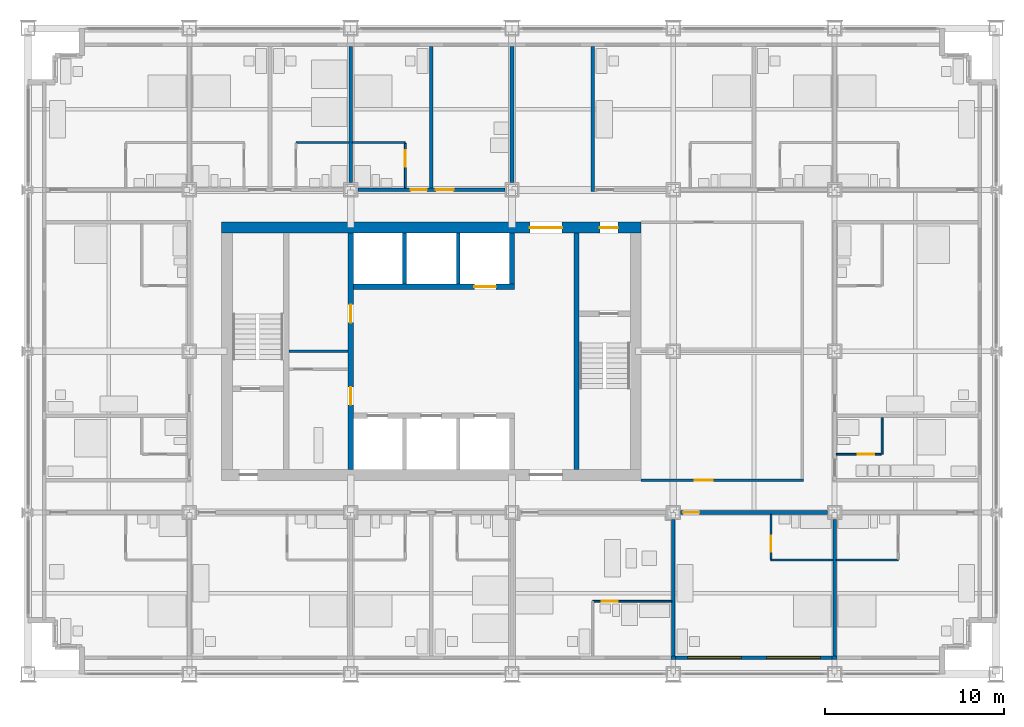
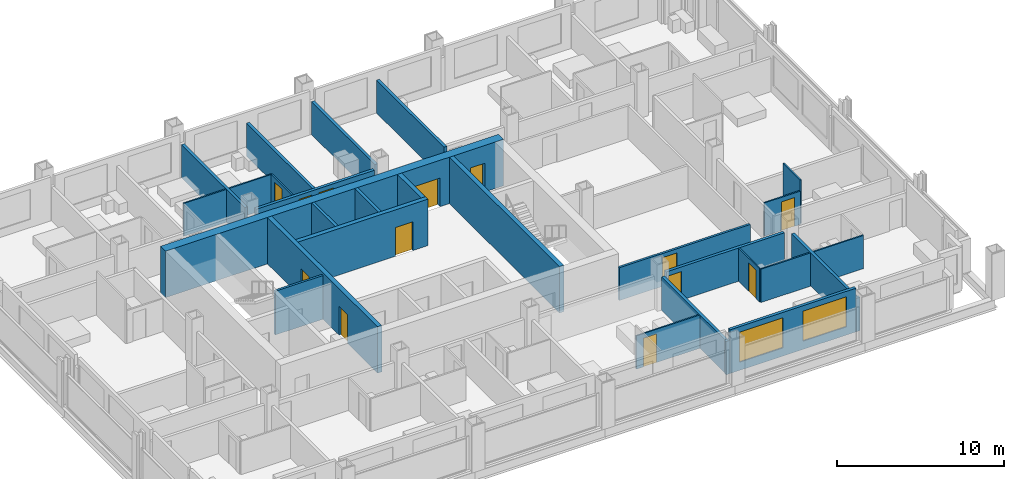
# One storey, part 12 of 18: 29 walls, 13 doors, 2 windows, 15 openings.
"""IFC4 building model written with IfcOpenShell, lengths in metres."""

from ifc_helpers import new_model, si_unit, direction, frame, frame_2d, origin, place, context, subcontext, project, spatial, rectangle, extrude, material, layer, layer_set, type_object, element, fill, save


model = new_model("IFC4")

# Units and contexts
model_context = context("Model", 3, precision=1e-05, world=origin(), true_north=direction((0.0, 1.0)))
body_context = subcontext(model_context, "Body", "Model", "MODEL_VIEW")
ifc_project = project(units=[si_unit("LENGTHUNIT", "METRE"), si_unit("AREAUNIT", "SQUARE_METRE"), si_unit("VOLUMEUNIT", "CUBIC_METRE"), si_unit("PLANEANGLEUNIT", "RADIAN"), si_unit("MASSUNIT", "GRAM", prefix="KILO")], contexts=[model_context])

# Site, building, storey
site_placement = place(None, origin())
site = spatial("IfcSite", under=ifc_project, at=site_placement, CompositionType="ELEMENT")
building_placement = place(site_placement, origin())
building = spatial("IfcBuilding", under=site, at=building_placement, Name="Loomwork Tower", CompositionType="ELEMENT")
storey_placement = place(building_placement, frame((0.0, 0.0, 62.0)))
storey = spatial("IfcBuildingStorey", under=building, at=storey_placement, Name="L15", CompositionType="ELEMENT", Elevation=62.0)

# Wall, openings, doors
ifc_material_1 = material(Name="Concrete 14000 psi (97 MPa)", Category="concrete")
ifc_layer_1 = layer(ifc_material_1, 0.300048828125)
ifc_layer_set_1 = layer_set([ifc_layer_1], Name="Core shear wall 300")
wall_type_1 = type_object("IfcWallType", Name="Core shear wall 300", PredefinedType="SHEAR", material=ifc_layer_set_1)
wall_1_placement = place(storey_placement, frame((18.0, 11.39990234375, 0.0), z_axis=(0.0, 0.0, 1.0), x_axis=(0.0, 1.0, 0.0)))
wall_1 = element("IfcWall", 1, at=wall_1_placement, inside=storey, type_object=wall_type_1, Name="Lobby west wall L15", PredefinedType="SHEAR", context=body_context, shape_type="SweptSolid", body=[
    extrude(rectangle(XDim=13.2001953125, YDim=0.300048828125, at=frame_2d((6.60009765625, 0.0))), origin(), (0.0, 0.0, 1.0), 3.39990234375),
])
opening_1_placement = place(wall_1_placement, frame((3.60009765625, 0.0, 0.0)))
opening_1 = element("IfcOpeningElement", 2, at=opening_1_placement, cuts=wall_1, Name="Opening D5", PredefinedType="OPENING", context=body_context, shape_type="SweptSolid", body=[
    extrude(rectangle(XDim=1.0, YDim=2.10009765625, at=frame_2d((0.5, 1.050048828125))), frame((0.0, 0.159912109375, 0.0), z_axis=(0.0, -1.0, 0.0), x_axis=(1.0, 0.0, 0.0)), (0.0, 0.0, 1.0), 0.320068359375),
])
opening_2_placement = place(wall_1_placement, frame((8.199951171875, 0.0, 0.0)))
opening_2 = element("IfcOpeningElement", 3, at=opening_2_placement, cuts=wall_1, Name="Opening D5", PredefinedType="OPENING", context=body_context, shape_type="SweptSolid", body=[
    extrude(rectangle(XDim=1.0, YDim=2.10009765625, at=frame_2d((0.5, 1.050048828125))), frame((0.0, 0.159912109375, 0.0), z_axis=(0.0, -1.0, 0.0), x_axis=(1.0, 0.0, 0.0)), (0.0, 0.0, 1.0), 0.320068359375),
])
ifc_material_2 = material(Name="Hollow metal door and frame")
door_type_1 = type_object("IfcDoorType", Name="Service door 1000", OperationType="SINGLE_SWING_LEFT", PredefinedType="DOOR", material=ifc_material_2)
door_1_placement = place(opening_1_placement, origin())
door_1 = element("IfcDoor", 4, at=door_1_placement, inside=storey, type_object=door_type_1, Name="Back-of-house door south", OperationType="SINGLE_SWING_LEFT", OverallHeight=2.10009765625, OverallWidth=1.0, PredefinedType="DOOR", context=body_context, shape_type="SweptSolid", body=[
    extrude(rectangle(XDim=1.0, YDim=2.10009765625, at=frame_2d((0.5, 1.050048828125))), frame((0.0, 0.02490234375, 0.0), z_axis=(0.0, -1.0, 0.0), x_axis=(1.0, 0.0, 0.0)), (0.0, 0.0, 1.0), 0.050048828125),
])
fill(opening_1, door_1)
door_2_placement = place(opening_2_placement, origin())
door_2 = element("IfcDoor", 5, at=door_2_placement, inside=storey, type_object=door_type_1, Name="Back-of-house door north", OperationType="SINGLE_SWING_RIGHT", OverallHeight=2.10009765625, OverallWidth=1.0, PredefinedType="DOOR", context=body_context, shape_type="SweptSolid", body=[
    extrude(rectangle(XDim=1.0, YDim=2.10009765625, at=frame_2d((0.5, 1.050048828125))), frame((0.0, 0.02490234375, 0.0), z_axis=(0.0, -1.0, 0.0), x_axis=(1.0, 0.0, 0.0)), (0.0, 0.0, 1.0), 0.050048828125),
])
fill(opening_2, door_2)

# Wall, opening, door
wall_2_placement = place(storey_placement, frame((18.14990234375, 21.60009765625, 0.0), z_axis=(0.0, 0.0, 1.0), x_axis=(1.0, 0.0, 0.0)))
wall_2 = element("IfcWall", 6, at=wall_2_placement, inside=storey, type_object=wall_type_1, Name="Lift front wall north L15", PredefinedType="SHEAR", context=body_context, shape_type="SweptSolid", body=[
    extrude(rectangle(XDim=9.0, YDim=0.300048828125, at=frame_2d((4.5, 0.0))), origin(), (0.0, 0.0, 1.0), 3.39990234375),
])
opening_3_placement = place(wall_2_placement, frame((6.75, 0.0, 0.0)))
opening_3 = element("IfcOpeningElement", 7, at=opening_3_placement, cuts=wall_2, Name="Opening LD2", PredefinedType="OPENING", context=body_context, shape_type="SweptSolid", body=[
    extrude(rectangle(XDim=1.199951171875, YDim=2.10009765625, at=frame_2d((0.60009765625, 1.050048828125))), frame((0.0, 0.159912109375, 0.0), z_axis=(0.0, -1.0, 0.0), x_axis=(1.0, 0.0, 0.0)), (0.0, 0.0, 1.0), 0.320068359375),
])
ifc_material_3 = material(Name="Hollow metal door and frame")
door_type_2 = type_object("IfcDoorType", Name="Lift landing door 1200", OperationType="SLIDING_TO_LEFT", PredefinedType="DOOR", material=ifc_material_3)
door_3_placement = place(opening_3_placement, origin())
door_3 = element("IfcDoor", 8, at=door_3_placement, inside=storey, type_object=door_type_2, Name="Lift landing door LF2", OperationType="SLIDING_TO_LEFT", OverallHeight=2.10009765625, OverallWidth=1.199951171875, PredefinedType="DOOR", context=body_context, shape_type="SweptSolid", body=[
    extrude(rectangle(XDim=1.199951171875, YDim=2.10009765625, at=frame_2d((0.60009765625, 1.050048828125))), frame((0.0, 0.02490234375, 0.0), z_axis=(0.0, -1.0, 0.0), x_axis=(1.0, 0.0, 0.0)), (0.0, 0.0, 1.0), 0.050048828125),
])
fill(opening_3, door_3)

# Walls
wall_3_placement = place(storey_placement, frame((27.0, 21.75, 0.0), z_axis=(0.0, 0.0, 1.0), x_axis=(0.0, 1.0, 0.0)))
element("IfcWall", 9, at=wall_3_placement, inside=storey, type_object=wall_type_1, Name="Lift shaft end wall north L15", PredefinedType="SHEAR", context=body_context, shape_type="SweptSolid", body=[
    extrude(rectangle(XDim=2.85009765625, YDim=0.300048828125, at=frame_2d((1.425048828125, 0.0))), origin(), (0.0, 0.0, 1.0), 3.39990234375),
])
wall_4_placement = place(storey_placement, frame((30.60009765625, 11.39990234375, 0.0), z_axis=(0.0, 0.0, 1.0), x_axis=(0.0, 1.0, 0.0)))
element("IfcWall", 10, at=wall_4_placement, inside=storey, type_object=wall_type_1, Name="Stair B west wall L15", PredefinedType="SHEAR", context=body_context, shape_type="SweptSolid", body=[
    extrude(rectangle(XDim=13.2001953125, YDim=0.300048828125, at=frame_2d((6.60009765625, 0.0))), origin(), (0.0, 0.0, 1.0), 3.39990234375),
])

# Wall, openings, doors
ifc_material_4 = material(Name="Concrete 14000 psi (97 MPa)", Category="concrete")
ifc_layer_2 = layer(ifc_material_4, 0.60009765625)
ifc_layer_set_2 = layer_set([ifc_layer_2], Name="Core shear wall 600")
wall_type_2 = type_object("IfcWallType", Name="Core shear wall 600", PredefinedType="SHEAR", material=ifc_layer_set_2)
wall_5_placement = place(storey_placement, frame((10.800048828125, 24.89990234375, 0.0), z_axis=(0.0, 0.0, 1.0), x_axis=(1.0, 0.0, 0.0)))
wall_5 = element("IfcWall", 11, at=wall_5_placement, inside=storey, type_object=wall_type_2, Name="Core wall north L15", PredefinedType="SHEAR", context=body_context, shape_type="SweptSolid", body=[
    extrude(rectangle(XDim=23.39990234375, YDim=0.60009765625, at=frame_2d((11.699951171875, 0.0))), origin(), (0.0, 0.0, 1.0), 3.39990234375),
])
opening_4_placement = place(wall_5_placement, frame((17.199951171875, 0.0, 0.0)))
opening_4 = element("IfcOpeningElement", 12, at=opening_4_placement, cuts=wall_5, Name="Opening D6", PredefinedType="OPENING", context=body_context, shape_type="SweptSolid", body=[
    extrude(rectangle(XDim=1.800048828125, YDim=2.10009765625, at=frame_2d((0.89990234375, 1.050048828125))), frame((0.0, 0.31005859375, 0.0), z_axis=(0.0, -1.0, 0.0), x_axis=(1.0, 0.0, 0.0)), (0.0, 0.0, 1.0), 0.6201171875),
])
opening_5_placement = place(wall_5_placement, frame((21.10009765625, 0.0, 0.0)))
opening_5 = element("IfcOpeningElement", 13, at=opening_5_placement, cuts=wall_5, Name="Opening D4", PredefinedType="OPENING", context=body_context, shape_type="SweptSolid", body=[
    extrude(rectangle(XDim=1.0, YDim=2.10009765625, at=frame_2d((0.5, 1.050048828125))), frame((0.0, 0.31005859375, 0.0), z_axis=(0.0, -1.0, 0.0), x_axis=(1.0, 0.0, 0.0)), (0.0, 0.0, 1.0), 0.6201171875),
])
ifc_material_5 = material(Name="Hollow metal door and frame")
door_type_3 = type_object("IfcDoorType", Name="Lobby passage double door 1800", OperationType="DOUBLE_DOOR_SINGLE_SWING", PredefinedType="DOOR", material=ifc_material_5)
door_4_placement = place(opening_4_placement, frame((1.800048828125, 0.0, 0.0), z_axis=(0.0, 0.0, 1.0), x_axis=(-1.0, 0.0, 0.0)))
door_4 = element("IfcDoor", 14, at=door_4_placement, inside=storey, type_object=door_type_3, Name="Lobby passage door north", OperationType="DOUBLE_DOOR_SINGLE_SWING", OverallHeight=2.10009765625, OverallWidth=1.800048828125, PredefinedType="DOOR", context=body_context, shape_type="SweptSolid", body=[
    extrude(rectangle(XDim=1.800048828125, YDim=2.10009765625, at=frame_2d((0.89990234375, 1.050048828125))), frame((0.0, 0.02490234375, 0.0), z_axis=(0.0, -1.0, 0.0), x_axis=(1.0, 0.0, 0.0)), (0.0, 0.0, 1.0), 0.050048828125),
])
fill(opening_4, door_4)
ifc_material_6 = material(Name="Hollow metal door and frame")
door_type_4 = type_object("IfcDoorType", Name="Stair door 1000", OperationType="SINGLE_SWING_RIGHT", PredefinedType="DOOR", material=ifc_material_6)
door_5_placement = place(opening_5_placement, frame((1.0, 0.0, 0.0), z_axis=(0.0, 0.0, 1.0), x_axis=(-1.0, 0.0, 0.0)))
door_5 = element("IfcDoor", 15, at=door_5_placement, inside=storey, type_object=door_type_4, Name="Stair B vestibule door", OperationType="SINGLE_SWING_LEFT", OverallHeight=2.10009765625, OverallWidth=1.0, PredefinedType="DOOR", context=body_context, shape_type="SweptSolid", body=[
    extrude(rectangle(XDim=1.0, YDim=2.10009765625, at=frame_2d((0.5, 1.050048828125))), frame((0.0, 0.02490234375, 0.0), z_axis=(0.0, -1.0, 0.0), x_axis=(1.0, 0.0, 0.0)), (0.0, 0.0, 1.0), 0.050048828125),
])
fill(opening_5, door_5)

# Wall, opening, door
ifc_material_7 = material(Name="Gypsum board on steel studs, one-hour", Category="steel")
ifc_layer_3 = layer(ifc_material_7, 0.199951171875)
ifc_layer_set_3 = layer_set([ifc_layer_3], Name="Corridor wall 200")
wall_type_3 = type_object("IfcWallType", Name="Corridor wall 200", PredefinedType="PARTITIONING", material=ifc_layer_set_3)
wall_6_placement = place(storey_placement, frame((36.39990234375, 9.0, 0.0), z_axis=(0.0, 0.0, 1.0), x_axis=(1.0, 0.0, 0.0)))
wall_6 = element("IfcWall", 16, at=wall_6_placement, inside=storey, type_object=wall_type_3, Name="South corridor wall 5", PredefinedType="PARTITIONING", context=body_context, shape_type="SweptSolid", body=[
    extrude(rectangle(XDim=8.2001953125, YDim=0.199951171875, at=frame_2d((4.10009765625, 0.0))), origin(), (0.0, 0.0, 1.0), 2.43798828125),
])
opening_6_placement = place(wall_6_placement, frame((0.14990234375, 0.0, 0.0)))
opening_6 = element("IfcOpeningElement", 17, at=opening_6_placement, cuts=wall_6, Name="Opening D1", PredefinedType="OPENING", context=body_context, shape_type="SweptSolid", body=[
    extrude(rectangle(XDim=0.89990234375, YDim=2.10009765625, at=frame_2d((0.449951171875, 1.050048828125))), frame((0.0, 0.10986328125, 0.0), z_axis=(0.0, -1.0, 0.0), x_axis=(1.0, 0.0, 0.0)), (0.0, 0.0, 1.0), 0.219970703125),
])
ifc_material_8 = material(Name="Hollow metal door and frame")
door_type_5 = type_object("IfcDoorType", Name="Guest room entry door 900", OperationType="SINGLE_SWING_LEFT", PredefinedType="DOOR", material=ifc_material_8)
door_6_placement = place(opening_6_placement, frame((0.89990234375, 0.0, 0.0), z_axis=(0.0, 0.0, 1.0), x_axis=(-1.0, 0.0, 0.0)))
door_6 = element("IfcDoor", 18, at=door_6_placement, inside=storey, type_object=door_type_5, Name="Guest room entry door L15 6", OperationType="SINGLE_SWING_RIGHT", OverallHeight=2.10009765625, OverallWidth=0.89990234375, PredefinedType="DOOR", context=body_context, shape_type="SweptSolid", body=[
    extrude(rectangle(XDim=0.89990234375, YDim=2.10009765625, at=frame_2d((0.449951171875, 1.050048828125))), frame((0.0, 0.02490234375, 0.0), z_axis=(0.0, -1.0, 0.0), x_axis=(1.0, 0.0, 0.0)), (0.0, 0.0, 1.0), 0.050048828125),
])
fill(opening_6, door_6)

# Wall, openings, doors
wall_7_placement = place(storey_placement, frame((18.39990234375, 27.0, 0.0), z_axis=(0.0, 0.0, 1.0), x_axis=(1.0, 0.0, 0.0)))
wall_7 = element("IfcWall", 19, at=wall_7_placement, inside=storey, type_object=wall_type_3, Name="North corridor wall 3", PredefinedType="PARTITIONING", context=body_context, shape_type="SweptSolid", body=[
    extrude(rectangle(XDim=8.2001953125, YDim=0.199951171875, at=frame_2d((4.10009765625, 0.0))), origin(), (0.0, 0.0, 1.0), 2.405029296875),
])
opening_7_placement = place(wall_7_placement, frame((2.949951171875, 0.0, 0.0)))
opening_7 = element("IfcOpeningElement", 20, at=opening_7_placement, cuts=wall_7, Name="Opening D1", PredefinedType="OPENING", context=body_context, shape_type="SweptSolid", body=[
    extrude(rectangle(XDim=0.89990234375, YDim=2.10009765625, at=frame_2d((0.449951171875, 1.050048828125))), frame((0.0, 0.10986328125, 0.0), z_axis=(0.0, -1.0, 0.0), x_axis=(1.0, 0.0, 0.0)), (0.0, 0.0, 1.0), 0.219970703125),
])
opening_8_placement = place(wall_7_placement, frame((4.35009765625, 0.0, 0.0)))
opening_8 = element("IfcOpeningElement", 21, at=opening_8_placement, cuts=wall_7, Name="Opening D15", PredefinedType="OPENING", context=body_context, shape_type="SweptSolid", body=[
    extrude(rectangle(XDim=1.0, YDim=2.10009765625, at=frame_2d((0.5, 1.050048828125))), frame((0.0, 0.10986328125, 0.0), z_axis=(0.0, -1.0, 0.0), x_axis=(1.0, 0.0, 0.0)), (0.0, 0.0, 1.0), 0.219970703125),
])
ifc_material_9 = material(Name="Hollow metal door and frame")
door_type_6 = type_object("IfcDoorType", Name="Fire-rated room door 1000", OperationType="SINGLE_SWING_LEFT", PredefinedType="DOOR", material=ifc_material_9)
door_7_placement = place(opening_8_placement, origin())
door_7 = element("IfcDoor", 22, at=door_7_placement, inside=storey, type_object=door_type_6, Name="Ice and vending room door L15 12", OperationType="SINGLE_SWING_LEFT", OverallHeight=2.10009765625, OverallWidth=1.0, PredefinedType="DOOR", context=body_context, shape_type="SweptSolid", body=[
    extrude(rectangle(XDim=1.0, YDim=2.10009765625, at=frame_2d((0.5, 1.050048828125))), frame((0.0, 0.02490234375, 0.0), z_axis=(0.0, -1.0, 0.0), x_axis=(1.0, 0.0, 0.0)), (0.0, 0.0, 1.0), 0.050048828125),
])
fill(opening_8, door_7)
door_8_placement = place(opening_7_placement, origin())
door_8 = element("IfcDoor", 23, at=door_8_placement, inside=storey, type_object=door_type_5, Name="Guest room entry door L15 11", OperationType="SINGLE_SWING_RIGHT", OverallHeight=2.10009765625, OverallWidth=0.89990234375, PredefinedType="DOOR", context=body_context, shape_type="SweptSolid", body=[
    extrude(rectangle(XDim=0.89990234375, YDim=2.10009765625, at=frame_2d((0.449951171875, 1.050048828125))), frame((0.0, 0.02490234375, 0.0), z_axis=(0.0, -1.0, 0.0), x_axis=(1.0, 0.0, 0.0)), (0.0, 0.0, 1.0), 0.050048828125),
])
fill(opening_7, door_8)

# Wall, opening, door
ifc_material_10 = material(Name="Cement board on steel studs", Category="steel")
ifc_layer_4 = layer(ifc_material_10, 0.10009765625)
ifc_layer_set_4 = layer_set([ifc_layer_4], Name="En-suite partition 100")
wall_type_4 = type_object("IfcWallType", Name="En-suite partition 100", PredefinedType="PARTITIONING", material=ifc_layer_set_4)
wall_8_placement = place(storey_placement, frame((31.5, 4.050048828125, 0.0), z_axis=(0.0, 0.0, 1.0), x_axis=(1.0, 0.0, 0.0)))
wall_8 = element("IfcWall", 24, at=wall_8_placement, inside=storey, type_object=wall_type_4, Name="Spa bathroom wall L15 room 5", PredefinedType="PARTITIONING", context=body_context, shape_type="SweptSolid", body=[
    extrude(rectangle(XDim=4.39990234375, YDim=0.10009765625, at=frame_2d((2.199951171875, 0.0))), origin(), (0.0, 0.0, 1.0), 2.43798828125),
])
opening_9_placement = place(wall_8_placement, frame((0.5, 0.0, 0.0)))
opening_9 = element("IfcOpeningElement", 25, at=opening_9_placement, cuts=wall_8, Name="Opening D2", PredefinedType="OPENING", context=body_context, shape_type="SweptSolid", body=[
    extrude(rectangle(XDim=0.89990234375, YDim=2.10009765625, at=frame_2d((0.449951171875, 1.050048828125))), frame((0.0, 0.06005859375, 0.0), z_axis=(0.0, -1.0, 0.0), x_axis=(1.0, 0.0, 0.0)), (0.0, 0.0, 1.0), 0.1201171875),
])
ifc_material_11 = material(Name="Hollow metal door and frame")
door_type_7 = type_object("IfcDoorType", Name="En-suite door 900", OperationType="SINGLE_SWING_LEFT", PredefinedType="DOOR", material=ifc_material_11)
door_9_placement = place(opening_9_placement, frame((0.89990234375, 0.0, 0.0), z_axis=(0.0, 0.0, 1.0), x_axis=(-1.0, 0.0, 0.0)))
door_9 = element("IfcDoor", 26, at=door_9_placement, inside=storey, type_object=door_type_7, Name="Spa bathroom door room 5", OperationType="SINGLE_SWING_RIGHT", OverallHeight=2.10009765625, OverallWidth=0.89990234375, PredefinedType="DOOR", context=body_context, shape_type="SweptSolid", body=[
    extrude(rectangle(XDim=0.89990234375, YDim=2.10009765625, at=frame_2d((0.449951171875, 1.050048828125))), frame((0.0, 0.02490234375, 0.0), z_axis=(0.0, -1.0, 0.0), x_axis=(1.0, 0.0, 0.0)), (0.0, 0.0, 1.0), 0.050048828125),
])
fill(opening_9, door_9)

# Wall
wall_9_placement = place(storey_placement, frame((41.449951171875, 6.35009765625, 0.0), z_axis=(0.0, 0.0, 1.0), x_axis=(1.0, 0.0, 0.0)))
element("IfcWall", 27, at=wall_9_placement, inside=storey, type_object=wall_type_4, Name="En-suite wall L15 room 6", PredefinedType="PARTITIONING", context=body_context, shape_type="SweptSolid", body=[
    extrude(rectangle(XDim=3.449951171875, YDim=0.10009765625, at=frame_2d((1.72509765625, 0.0))), origin(), (0.0, 0.0, 1.0), 2.43798828125),
])

# Wall, opening, door
wall_10_placement = place(storey_placement, frame((41.449951171875, 8.89990234375, 0.0), z_axis=(0.0, 0.0, 1.0), x_axis=(0.0, -1.0, 0.0)))
wall_10 = element("IfcWall", 28, at=wall_10_placement, inside=storey, type_object=wall_type_4, Name="En-suite side wall L15 room 6", PredefinedType="PARTITIONING", context=body_context, shape_type="SweptSolid", body=[
    extrude(rectangle(XDim=2.5, YDim=0.10009765625, at=frame_2d((1.25, 0.0))), origin(), (0.0, 0.0, 1.0), 2.43798828125),
])
opening_10_placement = place(wall_10_placement, frame((1.199951171875, 0.0, 0.0)))
opening_10 = element("IfcOpeningElement", 29, at=opening_10_placement, cuts=wall_10, Name="Opening D2", PredefinedType="OPENING", context=body_context, shape_type="SweptSolid", body=[
    extrude(rectangle(XDim=0.89990234375, YDim=2.10009765625, at=frame_2d((0.449951171875, 1.050048828125))), frame((0.0, 0.06005859375, 0.0), z_axis=(0.0, -1.0, 0.0), x_axis=(1.0, 0.0, 0.0)), (0.0, 0.0, 1.0), 0.1201171875),
])
door_10_placement = place(opening_10_placement, origin())
door_10 = element("IfcDoor", 30, at=door_10_placement, inside=storey, type_object=door_type_7, Name="En-suite door room 6", OperationType="SINGLE_SWING_RIGHT", OverallHeight=2.10009765625, OverallWidth=0.89990234375, PredefinedType="DOOR", context=body_context, shape_type="SweptSolid", body=[
    extrude(rectangle(XDim=0.89990234375, YDim=2.10009765625, at=frame_2d((0.449951171875, 1.050048828125))), frame((0.0, 0.02490234375, 0.0), z_axis=(0.0, -1.0, 0.0), x_axis=(1.0, 0.0, 0.0)), (0.0, 0.0, 1.0), 0.050048828125),
])
fill(opening_10, door_10)

# Walls
wall_11_placement = place(storey_placement, frame((45.10009765625, 6.35009765625, 0.0), z_axis=(0.0, 0.0, 1.0), x_axis=(1.0, 0.0, 0.0)))
element("IfcWall", 31, at=wall_11_placement, inside=storey, type_object=wall_type_4, Name="En-suite wall L15 room 7", PredefinedType="PARTITIONING", context=body_context, shape_type="SweptSolid", body=[
    extrude(rectangle(XDim=3.449951171875, YDim=0.10009765625, at=frame_2d((1.72509765625, 0.0))), origin(), (0.0, 0.0, 1.0), 2.43798828125),
])
for number, where, z_axis, x_axis, name in (
    (32, (14.949951171875, 29.64990234375, 0.0), (0.0, 0.0, 1.0), (1.0, 0.0, 0.0), "En-suite wall L15 room 10"),
    (33, (18.10009765625, 29.64990234375, 0.0), (0.0, 0.0, 1.0), (1.0, 0.0, 0.0), "En-suite wall L15 room 11"),
):
    element("IfcWall", number, at=place(storey_placement, frame(where, z_axis=z_axis, x_axis=x_axis)), inside=storey, type_object=wall_type_4, Name=name, PredefinedType="PARTITIONING", context=body_context, shape_type="SweptSolid", body=[
        extrude(rectangle(XDim=2.949951171875, YDim=0.10009765625, at=frame_2d((1.47509765625, 0.0))), origin(), (0.0, 0.0, 1.0), 2.404052734375),
    ])

# Wall, opening, door
wall_12_placement = place(storey_placement, frame((21.050048828125, 27.10009765625, 0.0), z_axis=(0.0, 0.0, 1.0), x_axis=(0.0, 1.0, 0.0)))
wall_12 = element("IfcWall", 34, at=wall_12_placement, inside=storey, type_object=wall_type_4, Name="En-suite side wall L15 room 11", PredefinedType="PARTITIONING", context=body_context, shape_type="SweptSolid", body=[
    extrude(rectangle(XDim=2.5, YDim=0.10009765625, at=frame_2d((1.25, 0.0))), origin(), (0.0, 0.0, 1.0), 2.404052734375),
])
opening_11_placement = place(wall_12_placement, frame((1.199951171875, 0.0, 0.0)))
opening_11 = element("IfcOpeningElement", 35, at=opening_11_placement, cuts=wall_12, Name="Opening D2", PredefinedType="OPENING", context=body_context, shape_type="SweptSolid", body=[
    extrude(rectangle(XDim=0.89990234375, YDim=2.10009765625, at=frame_2d((0.449951171875, 1.050048828125))), frame((0.0, 0.06005859375, 0.0), z_axis=(0.0, -1.0, 0.0), x_axis=(1.0, 0.0, 0.0)), (0.0, 0.0, 1.0), 0.1201171875),
])
door_11_placement = place(opening_11_placement, origin())
door_11 = element("IfcDoor", 36, at=door_11_placement, inside=storey, type_object=door_type_7, Name="En-suite door room 11", OperationType="SINGLE_SWING_RIGHT", OverallHeight=2.10009765625, OverallWidth=0.89990234375, PredefinedType="DOOR", context=body_context, shape_type="SweptSolid", body=[
    extrude(rectangle(XDim=0.89990234375, YDim=2.10009765625, at=frame_2d((0.449951171875, 1.050048828125))), frame((0.0, 0.02490234375, 0.0), z_axis=(0.0, -1.0, 0.0), x_axis=(1.0, 0.0, 0.0)), (0.0, 0.0, 1.0), 0.050048828125),
])
fill(opening_11, door_11)

# Wall
wall_13_placement = place(storey_placement, frame((47.64990234375, 12.25, 0.0), z_axis=(0.0, 0.0, 1.0), x_axis=(0.0, 1.0, 0.0)))
element("IfcWall", 37, at=wall_13_placement, inside=storey, type_object=wall_type_4, Name="En-suite wall L15 room 18", PredefinedType="PARTITIONING", context=body_context, shape_type="SweptSolid", body=[
    extrude(rectangle(XDim=2.050048828125, YDim=0.10009765625, at=frame_2d((1.02490234375, 0.0))), origin(), (0.0, 0.0, 1.0), 3.199951171875),
])

# Wall, opening, door
wall_14_placement = place(storey_placement, frame((45.10009765625, 12.25, 0.0), z_axis=(0.0, 0.0, 1.0), x_axis=(1.0, 0.0, 0.0)))
wall_14 = element("IfcWall", 38, at=wall_14_placement, inside=storey, type_object=wall_type_4, Name="En-suite side wall L15 room 18", PredefinedType="PARTITIONING", context=body_context, shape_type="SweptSolid", body=[
    extrude(rectangle(XDim=2.5, YDim=0.10009765625, at=frame_2d((1.25, 0.0))), origin(), (0.0, 0.0, 1.0), 2.43798828125),
])
opening_12_placement = place(wall_14_placement, frame((1.199951171875, 0.0, 0.0)))
opening_12 = element("IfcOpeningElement", 39, at=opening_12_placement, cuts=wall_14, Name="Opening D2", PredefinedType="OPENING", context=body_context, shape_type="SweptSolid", body=[
    extrude(rectangle(XDim=0.89990234375, YDim=2.10009765625, at=frame_2d((0.449951171875, 1.050048828125))), frame((0.0, 0.06005859375, 0.0), z_axis=(0.0, -1.0, 0.0), x_axis=(1.0, 0.0, 0.0)), (0.0, 0.0, 1.0), 0.1201171875),
])
door_12_placement = place(opening_12_placement, origin())
door_12 = element("IfcDoor", 40, at=door_12_placement, inside=storey, type_object=door_type_7, Name="En-suite door room 18", OperationType="SINGLE_SWING_RIGHT", OverallHeight=2.10009765625, OverallWidth=0.89990234375, PredefinedType="DOOR", context=body_context, shape_type="SweptSolid", body=[
    extrude(rectangle(XDim=0.89990234375, YDim=2.10009765625, at=frame_2d((0.449951171875, 1.050048828125))), frame((0.0, 0.02490234375, 0.0), z_axis=(0.0, -1.0, 0.0), x_axis=(1.0, 0.0, 0.0)), (0.0, 0.0, 1.0), 0.050048828125),
])
fill(opening_12, door_12)

# Walls
ifc_material_12 = material(Name="Gypsum board on steel studs, acoustic", Category="steel")
ifc_layer_5 = layer(ifc_material_12, 0.199951171875)
ifc_layer_set_5 = layer_set([ifc_layer_5], Name="Guest room party wall 200")
wall_type_5 = type_object("IfcWallType", Name="Guest room party wall 200", PredefinedType="PARTITIONING", material=ifc_layer_set_5)
for number, where, z_axis, x_axis, name in (
    (41, (36.0, 8.60009765625, 0.0), (0.0, 0.0, 1.0), (0.0, -1.0, 0.0), "Guest room party wall S 36"),
    (42, (45.0, 8.60009765625, 0.0), (0.0, 0.0, 1.0), (0.0, -1.0, 0.0), "Guest room party wall S 45"),
):
    element("IfcWall", number, at=place(storey_placement, frame(where, z_axis=z_axis, x_axis=x_axis)), inside=storey, type_object=wall_type_5, Name=name, PredefinedType="PARTITIONING", context=body_context, shape_type="SweptSolid", body=[
        extrude(rectangle(XDim=7.60009765625, YDim=0.199951171875, at=frame_2d((3.800048828125, 0.0))), origin(), (0.0, 0.0, 1.0), 2.43798828125),
    ])
wall_15_placement = place(storey_placement, frame((18.0, 27.39990234375, 0.0), z_axis=(0.0, 0.0, 1.0), x_axis=(0.0, 1.0, 0.0)))
element("IfcWall", 43, at=wall_15_placement, inside=storey, type_object=wall_type_5, Name="Guest room party wall N 18", PredefinedType="PARTITIONING", context=body_context, shape_type="SweptSolid", body=[
    extrude(rectangle(XDim=7.60009765625, YDim=0.199951171875, at=frame_2d((3.800048828125, 0.0))), origin(), (0.0, 0.0, 1.0), 2.405029296875),
])
wall_16_placement = place(storey_placement, frame((22.5, 27.10009765625, 0.0), z_axis=(0.0, 0.0, 1.0), x_axis=(0.0, 1.0, 0.0)))
element("IfcWall", 44, at=wall_16_placement, inside=storey, type_object=wall_type_5, Name="Guest room party wall N 22.5", PredefinedType="PARTITIONING", context=body_context, shape_type="SweptSolid", body=[
    extrude(rectangle(XDim=7.89990234375, YDim=0.199951171875, at=frame_2d((3.949951171875, 0.0))), origin(), (0.0, 0.0, 1.0), 2.404052734375),
])
wall_17_placement = place(storey_placement, frame((27.0, 27.39990234375, 0.0), z_axis=(0.0, 0.0, 1.0), x_axis=(0.0, 1.0, 0.0)))
element("IfcWall", 45, at=wall_17_placement, inside=storey, type_object=wall_type_5, Name="Guest room party wall N 27", PredefinedType="PARTITIONING", context=body_context, shape_type="SweptSolid", body=[
    extrude(rectangle(XDim=7.60009765625, YDim=0.199951171875, at=frame_2d((3.800048828125, 0.0))), origin(), (0.0, 0.0, 1.0), 2.405029296875),
])
wall_18_placement = place(storey_placement, frame((31.5, 26.89990234375, 0.0), z_axis=(0.0, 0.0, 1.0), x_axis=(0.0, 1.0, 0.0)))
element("IfcWall", 46, at=wall_18_placement, inside=storey, type_object=wall_type_5, Name="Guest room party wall N 31.5", PredefinedType="PARTITIONING", context=body_context, shape_type="SweptSolid", body=[
    extrude(rectangle(XDim=8.10009765625, YDim=0.199951171875, at=frame_2d((4.050048828125, 0.0))), origin(), (0.0, 0.0, 1.0), 2.404052734375),
])
ifc_material_13 = material(Name="Insulated steel stud wall with gypsum lining", Category="steel")
ifc_layer_6 = layer(ifc_material_13, 0.199951171875)
ifc_layer_set_6 = layer_set([ifc_layer_6], Name="Inner skin wall 200")
wall_type_6 = type_object("IfcWallType", Name="Inner skin wall 200", PredefinedType="SOLIDWALL", material=ifc_layer_set_6)
wall_19_placement = place(storey_placement, frame((35.864501953125, 0.89990234375, 0.0), z_axis=(0.0, 0.0, 1.0), x_axis=(1.0, 0.0, 0.0)))
element("IfcWall", 47, at=wall_19_placement, inside=storey, type_object=wall_type_6, Name="Inner skin wall S bay 8", PredefinedType="SOLIDWALL", context=body_context, shape_type="SweptSolid", body=[
    extrude(rectangle(XDim=0.27099609375, YDim=0.199951171875, at=frame_2d((0.135498046875, 0.0))), origin(), (0.0, 0.0, 1.0), 2.43798828125),
])

# Wall, openings, windows
wall_20_placement = place(storey_placement, frame((36.135498046875, 0.89990234375, 0.0), z_axis=(0.0, 0.0, 1.0), x_axis=(1.0, 0.0, 0.0)))
wall_20 = element("IfcWall", 48, at=wall_20_placement, inside=storey, type_object=wall_type_6, Name="Inner skin wall S bay 9", PredefinedType="SOLIDWALL", context=body_context, shape_type="SweptSolid", body=[
    extrude(rectangle(XDim=8.72900390625, YDim=0.199951171875, at=frame_2d((4.364501953125, 0.0))), origin(), (0.0, 0.0, 1.0), 3.199951171875),
])
opening_13_placement = place(wall_20_placement, frame((0.66455078125, 0.0, 0.60009765625)))
opening_13 = element("IfcOpeningElement", 49, at=opening_13_placement, cuts=wall_20, Name="Opening CH1", PredefinedType="OPENING", context=body_context, shape_type="SweptSolid", body=[
    extrude(rectangle(XDim=3.0, YDim=2.199951171875, at=frame_2d((1.5, 1.10009765625))), frame((0.0, 0.10986328125, 0.0), z_axis=(0.0, -1.0, 0.0), x_axis=(1.0, 0.0, 0.0)), (0.0, 0.0, 1.0), 0.219970703125),
])
opening_14_placement = place(wall_20_placement, frame((5.064697265625, 0.0, 0.60009765625)))
opening_14 = element("IfcOpeningElement", 50, at=opening_14_placement, cuts=wall_20, Name="Opening CH1", PredefinedType="OPENING", context=body_context, shape_type="SweptSolid", body=[
    extrude(rectangle(XDim=3.0, YDim=2.199951171875, at=frame_2d((1.5, 1.10009765625))), frame((0.0, 0.10986328125, 0.0), z_axis=(0.0, -1.0, 0.0), x_axis=(1.0, 0.0, 0.0)), (0.0, 0.0, 1.0), 0.219970703125),
])
ifc_material_14 = material(Name="Aluminium frame with clear insulated glass", Category="aluminium")
window_type = type_object("IfcWindowType", Name="Chicago window 3000", PartitioningType="TRIPLE_PANEL_VERTICAL", PredefinedType="WINDOW", material=ifc_material_14)
window_1_placement = place(opening_13_placement, origin())
window_1 = element("IfcWindow", 51, at=window_1_placement, inside=storey, type_object=window_type, Name="Chicago window L15 bay 5", OverallHeight=2.199951171875, OverallWidth=3.0, PartitioningType="TRIPLE_PANEL_VERTICAL", PredefinedType="WINDOW", context=body_context, shape_type="SweptSolid", body=[
    extrude(rectangle(XDim=3.0, YDim=2.199951171875, at=frame_2d((1.5, 1.10009765625))), frame((0.0, 0.030029296875, 0.0), z_axis=(0.0, -1.0, 0.0), x_axis=(1.0, 0.0, 0.0)), (0.0, 0.0, 1.0), 0.06005859375),
])
fill(opening_13, window_1)
window_2_placement = place(opening_14_placement, origin())
window_2 = element("IfcWindow", 52, at=window_2_placement, inside=storey, type_object=window_type, Name="Chicago window L15 bay 5", OverallHeight=2.199951171875, OverallWidth=3.0, PartitioningType="TRIPLE_PANEL_VERTICAL", PredefinedType="WINDOW", context=body_context, shape_type="SweptSolid", body=[
    extrude(rectangle(XDim=3.0, YDim=2.199951171875, at=frame_2d((1.5, 1.10009765625))), frame((0.0, 0.030029296875, 0.0), z_axis=(0.0, -1.0, 0.0), x_axis=(1.0, 0.0, 0.0)), (0.0, 0.0, 1.0), 0.06005859375),
])
fill(opening_14, window_2)

# Walls
wall_21_placement = place(storey_placement, frame((44.864501953125, 0.89990234375, 0.0), z_axis=(0.0, 0.0, 1.0), x_axis=(1.0, 0.0, 0.0)))
element("IfcWall", 53, at=wall_21_placement, inside=storey, type_object=wall_type_6, Name="Inner skin wall S bay 10", PredefinedType="SOLIDWALL", context=body_context, shape_type="SweptSolid", body=[
    extrude(rectangle(XDim=0.27099609375, YDim=0.199951171875, at=frame_2d((0.135498046875, 0.0))), origin(), (0.0, 0.0, 1.0), 2.43798828125),
])
ifc_material_15 = material(Name="Concrete 14000 psi (97 MPa)", Category="concrete")
ifc_layer_7 = layer(ifc_material_15, 0.199951171875)
ifc_layer_set_7 = layer_set([ifc_layer_7], Name="Lift shaft wall 200")
wall_type_7 = type_object("IfcWallType", Name="Lift shaft wall 200", PredefinedType="SHEAR", material=ifc_layer_set_7)
for number, where, z_axis, x_axis, name in (
    (54, (21.0, 21.75, 0.0), (0.0, 0.0, 1.0), (0.0, 1.0, 0.0), "Lift shaft separation wall north 1 L15"),
    (55, (24.0, 21.75, 0.0), (0.0, 0.0, 1.0), (0.0, 1.0, 0.0), "Lift shaft separation wall north 2 L15"),
):
    element("IfcWall", number, at=place(storey_placement, frame(where, z_axis=z_axis, x_axis=x_axis)), inside=storey, type_object=wall_type_7, Name=name, PredefinedType="SHEAR", context=body_context, shape_type="SweptSolid", body=[
        extrude(rectangle(XDim=2.85009765625, YDim=0.199951171875, at=frame_2d((1.425048828125, 0.0))), origin(), (0.0, 0.0, 1.0), 3.39990234375),
    ])
ifc_material_16 = material(Name="Gypsum board on steel studs", Category="steel")
ifc_layer_8 = layer(ifc_material_16, 0.14990234375)
ifc_layer_set_8 = layer_set([ifc_layer_8], Name="Partition 150 two-hour")
wall_type_8 = type_object("IfcWallType", Name="Partition 150 two-hour", PredefinedType="PARTITIONING", material=ifc_layer_set_8)
wall_22_placement = place(storey_placement, frame((14.550048828125, 18.0, 0.0), z_axis=(0.0, 0.0, 1.0), x_axis=(1.0, 0.0, 0.0)))
element("IfcWall", 56, at=wall_22_placement, inside=storey, type_object=wall_type_8, Name="Back-of-house dividing wall L15", PredefinedType="PARTITIONING", context=body_context, shape_type="SweptSolid", body=[
    extrude(rectangle(XDim=3.300048828125, YDim=0.14990234375, at=frame_2d((1.64990234375, 0.0))), origin(), (0.0, 0.0, 1.0), 3.199951171875),
])

# Wall, opening, door
ifc_material_17 = material(Name="Gypsum board on steel studs, one-hour", Category="steel")
ifc_layer_9 = layer(ifc_material_17, 0.14990234375)
ifc_layer_set_9 = layer_set([ifc_layer_9], Name="Service partition 150")
wall_type_9 = type_object("IfcWallType", Name="Service partition 150", PredefinedType="PARTITIONING", material=ifc_layer_set_9)
wall_23_placement = place(storey_placement, frame((34.199951171875, 10.800048828125, 0.0), z_axis=(0.0, 0.0, 1.0), x_axis=(1.0, 0.0, 0.0)))
wall_23 = element("IfcWall", 57, at=wall_23_placement, inside=storey, type_object=wall_type_9, Name="Service block wall S", PredefinedType="PARTITIONING", context=body_context, shape_type="SweptSolid", body=[
    extrude(rectangle(XDim=9.074951171875, YDim=0.14990234375, at=frame_2d((4.53759765625, 0.0))), origin(), (0.0, 0.0, 1.0), 2.404052734375),
])
opening_15_placement = place(wall_23_placement, frame((3.0, 0.0, 0.0)))
opening_15 = element("IfcOpeningElement", 58, at=opening_15_placement, cuts=wall_23, Name="Opening D5", PredefinedType="OPENING", context=body_context, shape_type="SweptSolid", body=[
    extrude(rectangle(XDim=1.0, YDim=2.10009765625, at=frame_2d((0.5, 1.050048828125))), frame((0.0, 0.0849609375, 0.0), z_axis=(0.0, -1.0, 0.0), x_axis=(1.0, 0.0, 0.0)), (0.0, 0.0, 1.0), 0.169921875),
])
door_13_placement = place(opening_15_placement, origin())
door_13 = element("IfcDoor", 59, at=door_13_placement, inside=storey, type_object=door_type_1, Name="Housekeeping store door", OperationType="SINGLE_SWING_LEFT", OverallHeight=2.10009765625, OverallWidth=1.0, PredefinedType="DOOR", context=body_context, shape_type="SweptSolid", body=[
    extrude(rectangle(XDim=1.0, YDim=2.10009765625, at=frame_2d((0.5, 1.050048828125))), frame((0.0, 0.02490234375, 0.0), z_axis=(0.0, -1.0, 0.0), x_axis=(1.0, 0.0, 0.0)), (0.0, 0.0, 1.0), 0.050048828125),
])
fill(opening_15, door_13)

save(model, "model.ifc")
